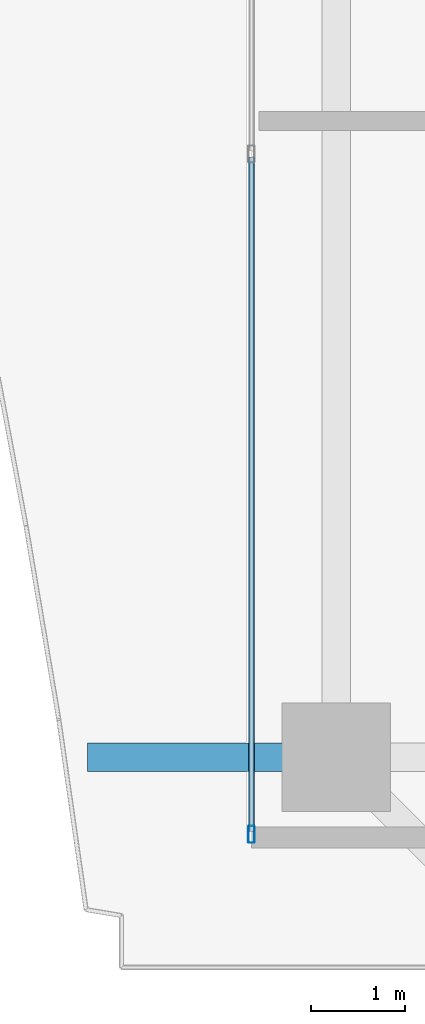
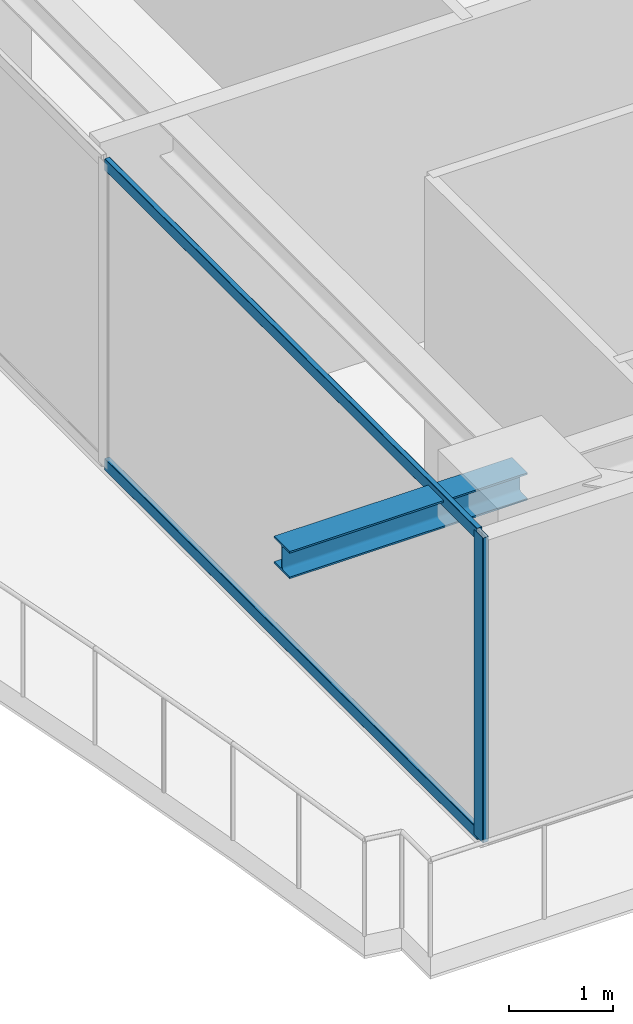
# One storey, part 3 of 35: 3 members, 1 beam, 1 element without a shape of its own.
"""IFC4 building model written with IfcOpenShell, lengths in metres."""

import ifcopenshell
import ifcopenshell.guid

model = None  # the IFC model being written
_history = None  # IfcOwnerHistory: only IFC2X3 demands one
_inside = {}  # id of a spatial element -> (the spatial element, [elements in it])
_under = {}  # id of a project, library or spatial element -> (it, [spatial elements below it])
_declared = {}  # id of a project -> (the project, [libraries it declares])
_typed = {}  # id of a type object -> (the type object, [elements of that type])
_made_of = {}  # id of a material, layer set ... -> (it, [elements and type objects made of it])


def new_model(schema):
    """Start an empty IFC model of exactly this schema.

    Asked for "IFC4X3", IfcOpenShell would pick the latest addendum, in which some entities
    have other attributes; the version numbers below select the first issue.
    IFC2X3 requires an IfcOwnerHistory on every rooted entity: one is made here for all.
    """
    global model, _history
    if schema == "IFC4X3":
        model = ifcopenshell.file(schema_version=(4, 3, 0, 0))
    else:
        model = ifcopenshell.file(schema=schema)
    _inside.clear()
    _under.clear()
    _declared.clear()
    _typed.clear()
    _made_of.clear()
    _history = None
    if model.schema == "IFC2X3":
        org = make("IfcOrganization", Name="unknown")
        user = make(
            "IfcPersonAndOrganization",
            ThePerson=make("IfcPerson", FamilyName="unknown"),
            TheOrganization=org,
        )
        app = make(
            "IfcApplication",
            ApplicationDeveloper=org,
            Version="unknown",
            ApplicationFullName="unknown",
            ApplicationIdentifier="unknown",
        )
        _history = make(
            "IfcOwnerHistory",
            OwningUser=user,
            OwningApplication=app,
            ChangeAction="ADDED",
            CreationDate=0,
        )
    return model


def make(cls, **values):
    """One entity of the class cls with the attributes given. An attribute that is None is left unset."""
    return model.create_entity(
        cls, **{name: value for name, value in values.items() if value is not None}
    )


def rooted(cls, **values):
    """An entity with a GlobalId (a new one), such as an element, a storey or a relation."""
    return make(cls, GlobalId=ifcopenshell.guid.new(), OwnerHistory=_history, **values)


def si_unit(unit_type, name, prefix=None):
    """IfcSIUnit, for example si_unit("LENGTHUNIT", "METRE", prefix="MILLI")."""
    return make("IfcSIUnit", UnitType=unit_type, Prefix=prefix, Name=name)


def assignment(units):
    """IfcUnitAssignment: the units of a project."""
    return None if units is None else make("IfcUnitAssignment", Units=units)


def point(xyz):
    """IfcCartesianPoint."""
    return None if xyz is None else make("IfcCartesianPoint", Coordinates=xyz)


def direction(xyz):
    """IfcDirection."""
    return None if xyz is None else make("IfcDirection", DirectionRatios=xyz)


def frame(location, z_axis=None, x_axis=None):
    """IfcAxis2Placement3D, a coordinate frame: its origin and axes. An axis left out is left unset."""
    return make(
        "IfcAxis2Placement3D",
        Location=point(location),
        Axis=direction(z_axis),
        RefDirection=direction(x_axis),
    )


def frame_2d(location, x_axis=None):
    """IfcAxis2Placement2D, a coordinate frame in the plane: its origin and x axis."""
    return make(
        "IfcAxis2Placement2D", Location=point(location), RefDirection=direction(x_axis)
    )


def origin():
    """The frame at (0, 0, 0) with its axes left unset."""
    return frame((0.0, 0.0, 0.0))


def origin_2d():
    """The frame at (0, 0) in the plane with its x axis left unset."""
    return frame_2d((0.0, 0.0))


def place(relative_to, where):
    """IfcLocalPlacement: puts the frame where relative to a parent placement (None: the world)."""
    return make(
        "IfcLocalPlacement", PlacementRelTo=relative_to, RelativePlacement=where
    )


def context(
    kind, dimensions, precision=None, world=None, true_north=None, identifier=None
):
    """IfcGeometricRepresentationContext, for example the 3D "Model" context."""
    return make(
        "IfcGeometricRepresentationContext",
        ContextIdentifier=identifier,
        ContextType=kind,
        CoordinateSpaceDimension=dimensions,
        Precision=precision,
        WorldCoordinateSystem=world,
        TrueNorth=true_north,
    )


def subcontext(parent, identifier, kind, view, scale=None):
    """IfcGeometricRepresentationSubContext, for example "Body" below "Model"."""
    return make(
        "IfcGeometricRepresentationSubContext",
        ContextIdentifier=identifier,
        ContextType=kind,
        ParentContext=parent,
        TargetScale=scale,
        TargetView=view,
    )


def project(units=None, contexts=None):
    """IfcProject with its units and contexts."""
    return rooted(
        "IfcProject",
        Name="project",
        RepresentationContexts=contexts,
        UnitsInContext=assignment(units),
    )


def spatial(cls, under=None, at=None, **own):
    """A site, building, storey or space (cls), placed at a placement, below another one or the project."""
    s = rooted(cls, ObjectPlacement=at, **own)
    if under is not None:
        _under.setdefault(under.id(), (under, []))[1].append(s)
    return s


def profile(cls, at=None, kind="AREA", **sizes):
    """A parametric profile (cls). Its sizes go by their IFC names, for example OverallWidth=200.0."""
    return make(cls, ProfileType=kind, Position=at, **sizes)


def hollow_rectangle(**sizes):
    """IfcRectangleHollowProfileDef."""
    return profile("IfcRectangleHollowProfileDef", **sizes)


def i_section(**sizes):
    """IfcIShapeProfileDef."""
    return profile("IfcIShapeProfileDef", **sizes)


def extrude(swept, where, along, depth):
    """IfcExtrudedAreaSolid: the profile swept, set in the frame where, extruded along a direction by depth."""
    return make(
        "IfcExtrudedAreaSolid",
        SweptArea=swept,
        Position=where,
        ExtrudedDirection=direction(along),
        Depth=depth,
    )


def shape(context_of_items, identifier, shape_type, items):
    """IfcShapeRepresentation: the items that make up one representation, for example the "Body"."""
    return make(
        "IfcShapeRepresentation",
        ContextOfItems=context_of_items,
        RepresentationIdentifier=identifier,
        RepresentationType=shape_type,
        Items=items,
    )


def source(mapping_origin, context_of_items, identifier, shape_type, items):
    """IfcRepresentationMap: a shape defined once, which mapped items show again and again."""
    return make(
        "IfcRepresentationMap",
        MappingOrigin=mapping_origin,
        MappedRepresentation=shape(context_of_items, identifier, shape_type, items),
    )


def transform(
    local_origin,
    x_axis=None,
    y_axis=None,
    z_axis=None,
    scale=None,
    scale2=None,
    scale3=None,
    uniform=True,
):
    """IfcCartesianTransformationOperator3D, or its non-uniform kind. x_axis, y_axis, z_axis: its Axis1, 2, 3."""
    if uniform:
        return make(
            "IfcCartesianTransformationOperator3D",
            Axis1=direction(x_axis),
            Axis2=direction(y_axis),
            LocalOrigin=point(local_origin),
            Scale=scale,
            Axis3=direction(z_axis),
        )
    return make(
        "IfcCartesianTransformationOperator3DnonUniform",
        Axis1=direction(x_axis),
        Axis2=direction(y_axis),
        LocalOrigin=point(local_origin),
        Scale=scale,
        Axis3=direction(z_axis),
        Scale2=scale2,
        Scale3=scale3,
    )


def mapped(mapping_source, mapping_target):
    """IfcMappedItem: shows the shape of a source again, moved by a transform."""
    return make(
        "IfcMappedItem", MappingSource=mapping_source, MappingTarget=mapping_target
    )


def material(Name=None, Category=None):
    """IfcMaterial."""
    return make("IfcMaterial", Name=Name, Category=Category)


def layer(
    of_material, thickness, ventilated=None, Name=None, Category=None, Priority=None
):
    """IfcMaterialLayer: one layer of a wall or slab, of a material (None: an air gap)."""
    return make(
        "IfcMaterialLayer",
        Material=of_material,
        LayerThickness=thickness,
        IsVentilated=ventilated,
        Name=Name,
        Category=Category,
        Priority=Priority,
    )


def layer_set(layers, Name=None):
    """IfcMaterialLayerSet."""
    return make("IfcMaterialLayerSet", MaterialLayers=layers, LayerSetName=Name)


def material_profile(
    of_material, cross_section, Name=None, Category=None, Priority=None
):
    """IfcMaterialProfile: a cross section and its material."""
    return make(
        "IfcMaterialProfile",
        Name=Name,
        Material=of_material,
        Profile=cross_section,
        Priority=Priority,
        Category=Category,
    )


def profile_set(profiles, Name=None, composite=None):
    """IfcMaterialProfileSet."""
    return make(
        "IfcMaterialProfileSet",
        Name=Name,
        MaterialProfiles=profiles,
        CompositeProfile=composite,
    )


def made_of(thing, what):
    """Note that an element or type object is made of a material, layer set ...; save() writes the relation."""
    if what is not None:
        _made_of.setdefault(what.id(), (what, []))[1].append(thing)
    return thing


def type_object(cls, material=None, **own):
    """A type object (cls), such as IfcWallType, which elements share."""
    return made_of(rooted(cls, **own), material)


def element(
    cls,
    number,
    at=None,
    inside=None,
    cuts=None,
    type_object=None,
    material=None,
    context=None,
    identifier="Body",
    shape_type=None,
    held_by="IfcProductDefinitionShape",
    body=None,
    shapes=None,
    **own,
):
    """One element of the class cls, such as IfcWall. Its Tag is "e" and its number.

    at: its placement. inside: the storey or other place that contains it. cuts: it is an
    opening in that element (IfcRelVoidsElement). A single representation is given by context,
    identifier, shape_type and body (its items); several are given by shapes. held_by: the class
    of the entity that holds the representations. save() writes the other relations.
    """
    e = rooted(cls, Tag="e%d" % number, ObjectPlacement=at, **own)
    if body is not None:
        shapes = [shape(context, identifier, shape_type, body)]
    if shapes is not None:
        e.Representation = make(held_by, Representations=shapes)
    if inside is not None:
        _inside.setdefault(inside.id(), (inside, []))[1].append(e)
    if cuts is not None:
        rooted(
            "IfcRelVoidsElement", RelatingBuildingElement=cuts, RelatedOpeningElement=e
        )
    if type_object is not None:
        _typed.setdefault(type_object.id(), (type_object, []))[1].append(e)
    return made_of(e, material)


def aggregate(whole, parts):
    """IfcRelAggregates: a whole, such as a stair, and the parts it consists of."""
    return rooted("IfcRelAggregates", RelatingObject=whole, RelatedObjects=parts)


def save(model, path):
    """Write the relations noted so far, then the file.

    IfcRelAggregates (storeys below a building ...), IfcRelContainedInSpatialStructure (elements
    in a storey), IfcRelDefinesByType, IfcRelAssociatesMaterial and IfcRelDeclares: one each for
    every whole, place, type object, material and project.
    """
    for whole, parts in _under.values():
        aggregate(whole, parts)
    for where, things in _inside.values():
        rooted(
            "IfcRelContainedInSpatialStructure",
            RelatedElements=things,
            RelatingStructure=where,
        )
    for kind, things in _typed.values():
        rooted("IfcRelDefinesByType", RelatedObjects=things, RelatingType=kind)
    for what, things in _made_of.values():
        rooted("IfcRelAssociatesMaterial", RelatedObjects=things, RelatingMaterial=what)
    for by, libraries in _declared.values():
        rooted("IfcRelDeclares", RelatingContext=by, RelatedDefinitions=libraries)
    model.write(path)


model = new_model("IFC4")

# Units and contexts
model_context = context("Model", 3, precision=1e-05, world=origin(), true_north=direction((0.0, 1.0)))
body_context = subcontext(model_context, "Body", "Model", "MODEL_VIEW")
ifc_project = project(units=[si_unit("LENGTHUNIT", "METRE"), si_unit("AREAUNIT", "SQUARE_METRE"), si_unit("VOLUMEUNIT", "CUBIC_METRE"), si_unit("PLANEANGLEUNIT", "RADIAN"), si_unit("MASSUNIT", "GRAM", prefix="KILO")], contexts=[model_context])

# Site, building, storey
site_placement = place(None, origin())
site = spatial("IfcSite", under=ifc_project, at=site_placement, CompositionType="ELEMENT")
building_placement = place(site_placement, origin())
building = spatial("IfcBuilding", under=site, at=building_placement, Name="Serunith Strait Residences", CompositionType="ELEMENT")
storey_placement = place(building_placement, frame((0.0, 0.0, 210.449951171875)))
storey = spatial("IfcBuildingStorey", under=building, at=storey_placement, Name="L52", CompositionType="ELEMENT", Elevation=210.449951171875)

# Beam
ifc_material_1 = material(Name="Steel S355J2", Category="steel")
ifc_material_profile_1 = material_profile(ifc_material_1, i_section(OverallWidth=0.300048828125, OverallDepth=0.320068359375, WebThickness=0.011474609375, FlangeThickness=0.0205078125, FilletRadius=0.027099609375, at=origin_2d()), Name="HEB 320")
ifc_profile_set_1 = profile_set([ifc_material_profile_1], Name="Steel S355J2")
beam_type = type_object("IfcBeamType", Name="BM-HEB320", PredefinedType="BEAM", material=ifc_profile_set_1)
shared_shape_1 = source(origin(), body_context, "Body", "SweptSolid", [
    extrude(i_section(OverallWidth=0.300048828125, OverallDepth=0.320068359375, WebThickness=0.011474609375, FlangeThickness=0.0205078125, FilletRadius=0.027099609375, at=origin_2d()), origin(), (0.0, 0.0, 1.0), 2.638671875),
])
beam_placement = place(storey_placement, frame((8.300048828125, 10.050048828125, 3.39697265625), z_axis=(-1.0, 0.0, 0.0), x_axis=(0.0, -1.0, 0.0)))
element("IfcBeam", 1, at=beam_placement, inside=storey, type_object=beam_type, Name="L53 Cantilevered Balcony Rib TC-W1", PredefinedType="BEAM", context=body_context, shape_type="MappedRepresentation", body=[
    mapped(shared_shape_1, transform((0.0, 0.0, 0.0), scale=1.0)),
])

# Curtain wall, members
ifc_material_2 = material(Name="Pale-Champagne Anodised Aluminium", Category="aluminium")
ifc_layer = layer(ifc_material_2, 0.199951171875, Name="Pale-Champagne Anodised Aluminium")
ifc_layer_set = layer_set([ifc_layer], Name="Pale-Champagne Anodised Aluminium")
curtain_wall_type = type_object("IfcCurtainWallType", Name="CW-SYS4", PredefinedType="NOTDEFINED", material=ifc_layer_set)
curtain_wall_placement = place(storey_placement, origin())
curtain_wall = element("IfcCurtainWall", 2, at=curtain_wall_placement, inside=storey, type_object=curtain_wall_type, Name="L52 W Unitised Fritted Curtain Wall", PredefinedType="NOTDEFINED")
ifc_material_profile_2 = material_profile(ifc_material_2, hollow_rectangle(XDim=0.06494140625, YDim=0.179931640625, WallThickness=0.00341796875, InnerFilletRadius=0.00537109375, OuterFilletRadius=0.0087890625, at=origin_2d()), Name="ALU 180x65x3.5")
ifc_profile_set_2 = profile_set([ifc_material_profile_2], Name="Pale-Champagne Anodised Aluminium")
member_type_1 = type_object("IfcMemberType", Name="CW-SYS4-MULL", PredefinedType="MULLION", material=ifc_profile_set_2)
shared_shape_2 = source(origin(), body_context, "Body", "SweptSolid", [
    extrude(hollow_rectangle(XDim=0.06494140625, YDim=0.179931640625, WallThickness=0.00341796875, InnerFilletRadius=0.00537109375, OuterFilletRadius=0.0087890625, at=origin_2d()), origin(), (0.0, 0.0, 1.0), 3.574951171875),
])
member_1_placement = place(storey_placement, frame((7.39990234375, 9.232421875, 0.0), z_axis=(0.0, 0.0, 1.0), x_axis=(1.0, 0.0, 0.0)))
member_1 = element("IfcMember", 3, at=member_1_placement, type_object=member_type_1, Name="CW-4 mullion 3", PredefinedType="MULLION", context=body_context, shape_type="MappedRepresentation", body=[
    mapped(shared_shape_2, transform((0.0, 0.0, 0.0), scale=1.0)),
])
ifc_material_profile_3 = material_profile(ifc_material_2, hollow_rectangle(XDim=0.06005859375, YDim=0.139892578125, WallThickness=0.00341796875, InnerFilletRadius=0.00537109375, OuterFilletRadius=0.0087890625, at=origin_2d()), Name="ALU 140x60x3.5")
ifc_profile_set_3 = profile_set([ifc_material_profile_3], Name="Pale-Champagne Anodised Aluminium")
member_type_2 = type_object("IfcMemberType", Name="CW-SYS4-TRAN", PredefinedType="USERDEFINED", material=ifc_profile_set_3)
shared_shape_3 = source(origin(), body_context, "Body", "SweptSolid", [
    extrude(hollow_rectangle(XDim=0.06005859375, YDim=0.139892578125, WallThickness=0.00341796875, InnerFilletRadius=0.00537109375, OuterFilletRadius=0.0087890625, at=origin_2d()), origin(), (0.0, 0.0, 1.0), 7.152587890625),
])
member_2_placement = place(storey_placement, frame((7.39990234375, 16.41748046875, 0.030029296875), z_axis=(0.0, -1.0, 0.0), x_axis=(1.0, 0.0, 0.0)))
member_2 = element("IfcMember", 4, at=member_2_placement, type_object=member_type_2, Name="CW-4 transom 2.1", ObjectType="TRANSOM", PredefinedType="USERDEFINED", context=body_context, shape_type="MappedRepresentation", body=[
    mapped(shared_shape_3, transform((0.0, 0.0, 0.0), scale=1.0)),
])
member_3_placement = place(storey_placement, frame((7.39990234375, 16.41748046875, 3.545166015625), z_axis=(0.0, -1.0, 0.0), x_axis=(1.0, 0.0, 0.0)))
member_3 = element("IfcMember", 5, at=member_3_placement, type_object=member_type_2, Name="CW-4 transom 2.2", ObjectType="TRANSOM", PredefinedType="USERDEFINED", context=body_context, shape_type="MappedRepresentation", body=[
    mapped(shared_shape_3, transform((0.0, 0.0, 0.0), scale=1.0)),
])
aggregate(curtain_wall, [member_1, member_2, member_3])

save(model, "model.ifc")
